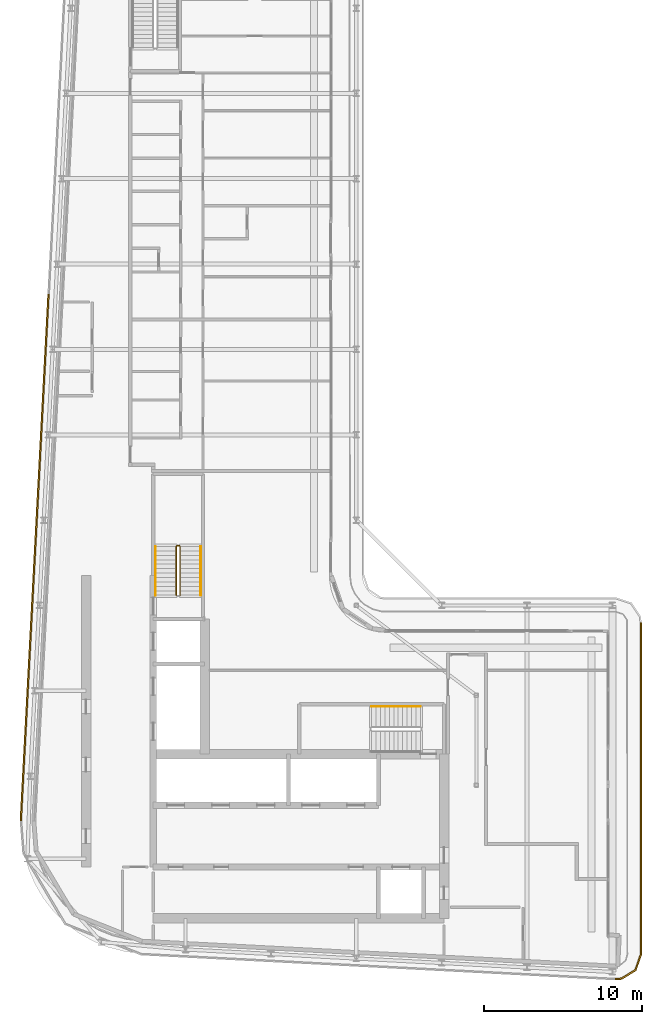
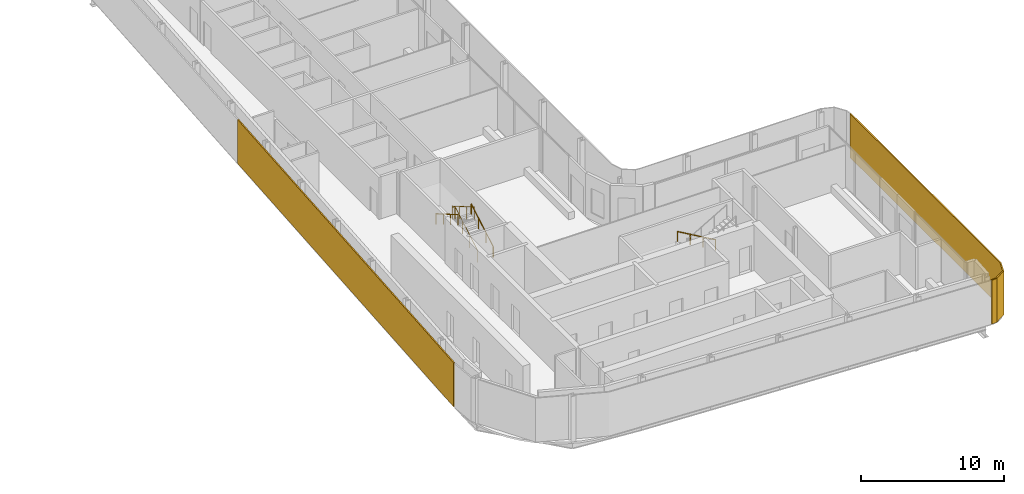
# One storey, part 18 of 21: 4 railings, 2 shading devices.
"""IFC4 building model written with IfcOpenShell, lengths in metres."""

from ifc_helpers import new_model, si_unit, direction, frame, origin, origin_2d, place, context, subcontext, project, spatial, polyline, rectangle, circle, outline, extrude, material, layer, layer_set, type_object, element, save


model = new_model("IFC4")

# Units and contexts
model_context = context("Model", 3, precision=1e-05, world=origin(), true_north=direction((0.0, 1.0)))
body_context = subcontext(model_context, "Body", "Model", "MODEL_VIEW")
ifc_project = project(units=[si_unit("LENGTHUNIT", "METRE"), si_unit("AREAUNIT", "SQUARE_METRE"), si_unit("VOLUMEUNIT", "CUBIC_METRE"), si_unit("PLANEANGLEUNIT", "RADIAN"), si_unit("MASSUNIT", "GRAM", prefix="KILO")], contexts=[model_context])

# Site, building, storey
site_placement = place(None, origin())
site = spatial("IfcSite", under=ifc_project, at=site_placement, CompositionType="ELEMENT")
building_placement = place(site_placement, origin())
building = spatial("IfcBuilding", under=site, at=building_placement, Name="Kheshtan School and Residences Tower", CompositionType="ELEMENT")
storey_placement = place(building_placement, frame((0.0, 0.0, 278.60009765625)))
storey = spatial("IfcBuildingStorey", under=building, at=storey_placement, Name="L65", CompositionType="ELEMENT", Elevation=278.60009765625)

# Shading devices
ifc_material_1 = material(Name="Terracotta baguette, extruded ceramic", Category="masonry")
ifc_layer_1 = layer(ifc_material_1, 0.10009765625)
ifc_layer_set_1 = layer_set([ifc_layer_1], Name="Ledge screen, terracotta baguettes")
shading_device_type_1 = type_object("IfcShadingDeviceType", Name="Ledge screen, terracotta baguettes", PredefinedType="USERDEFINED", material=ifc_layer_set_1)
shading_device_1_placement = place(storey_placement, frame((27.24609375, 48.638916015625, 0.0), z_axis=(0.0, 0.0, 1.0), x_axis=(0.052562536748, 0.998617634398, 0.0)))
element("IfcShadingDevice", 1, at=shading_device_1_placement, inside=storey, type_object=shading_device_type_1, Name="Screen L65 4", ObjectType="BAGUETTE", PredefinedType="USERDEFINED", context=body_context, shape_type="SweptSolid", body=[
    extrude(rectangle(XDim=33.341064453125, YDim=0.10009765625, at=origin_2d()), origin(), (0.0, 0.0, 1.0), 3.75),
])
ifc_material_2 = material(Name="Terracotta lattice, extruded ceramic", Category="masonry")
ifc_layer_2 = layer(ifc_material_2, 0.10009765625)
ifc_layer_set_2 = layer_set([ifc_layer_2], Name="Loggia screen, terracotta lattice")
shading_device_type_2 = type_object("IfcShadingDeviceType", Name="Loggia screen, terracotta lattice", PredefinedType="USERDEFINED", material=ifc_layer_set_2)
shading_device_2_placement = place(storey_placement, origin())
element("IfcShadingDevice", 2, at=shading_device_2_placement, inside=storey, type_object=shading_device_type_2, Name="Screen L65 2", ObjectType="SCREEN", PredefinedType="USERDEFINED", context=body_context, shape_type="SweptSolid", body=[
    extrude(outline(polyline([(65.550048828125, 44.5), (65.550048828125, 23.4990234375), (65.219970703125, 22.56005859375), (64.3740234375, 22.034912109375), (63.970947265625, 22.001953125), (63.97900390625, 21.902099609375), (64.406005859375, 21.93701171875), (65.302978515625, 22.493896484375), (65.64990234375, 23.48193359375), (65.64990234375, 44.5), (65.550048828125, 44.5)])), origin(), (0.0, 0.0, 1.0), 3.75),
])

# Railings
ifc_material_3 = material(Name="Stainless steel balustrade", Category="steel")
railing_type_1 = type_object("IfcRailingType", Name="Stair guard 1100", PredefinedType="GUARDRAIL", material=ifc_material_3)
railing_1_placement = place(storey_placement, frame((36.449951171875, 46.25, 0.162353515625)))
element("IfcRailing", 3, at=railing_1_placement, inside=storey, type_object=railing_type_1, Name="L65 ST2 stair guard 1", PredefinedType="GUARDRAIL", context=body_context, shape_type="SweptSolid", body=[
    extrude(circle(Radius=0.02392578125, at=origin_2d()), frame((0.0, 0.0, 1.076171875), z_axis=(0.0, 0.864890721111, 0.501960198159), x_axis=(-1.0, 0.0, 0.0)), (0.0, 0.0, 1.0), 3.561279296875),
    extrude(circle(Radius=0.02392578125, at=origin_2d()), frame((0.0, 3.080078125, 2.86376953125), z_axis=(-0.708833529934, 0.705375805398, 0.0), x_axis=(-0.705375805398, -0.708833529934, 0.0)), (0.0, 0.0, 1.0), 0.070556640625),
    extrude(circle(Radius=0.02392578125, at=origin_2d()), frame((-0.050048828125, 3.1298828125, 2.86376953125), z_axis=(-1.0, 0.0, 0.0), x_axis=(0.0, -1.0, 0.0)), (0.0, 0.0, 1.0), 0.14990234375),
    extrude(circle(Radius=0.02392578125, at=origin_2d()), frame((-0.199951171875, 3.1298828125, 2.86376953125), z_axis=(-0.282693820306, -0.281314826061, 0.917031173188), x_axis=(0.705375805398, -0.708833529934, 0.0)), (0.0, 0.0, 1.0), 0.177001953125),
    extrude(circle(Radius=0.02392578125, at=origin_2d()), frame((-0.25, 3.080078125, 3.02587890625), z_axis=(0.0, -0.864890721111, 0.501960198159), x_axis=(1.0, 0.0, 0.0)), (0.0, 0.0, 1.0), 3.561279296875),
    extrude(circle(Radius=0.02099609375, at=origin_2d()), origin(), (0.0, 0.0, 1.0), 1.052001953125),
    extrude(circle(Radius=0.02099609375, at=origin_2d()), frame((0.0, 1.026611328125, 0.595947265625)), (0.0, 0.0, 1.0), 1.052001953125),
    extrude(circle(Radius=0.02099609375, at=origin_2d()), frame((0.0, 2.053466796875, 1.191650390625)), (0.0, 0.0, 1.0), 1.052001953125),
    extrude(circle(Radius=0.02099609375, at=origin_2d()), frame((0.0, 3.080078125, 1.78759765625)), (0.0, 0.0, 1.0), 1.052001953125),
    extrude(circle(Radius=0.02099609375, at=origin_2d()), frame((-0.050048828125, 3.1298828125, 1.78759765625)), (0.0, 0.0, 1.0), 1.052001953125),
    extrude(circle(Radius=0.02099609375, at=origin_2d()), frame((-0.199951171875, 3.1298828125, 1.78759765625)), (0.0, 0.0, 1.0), 1.052001953125),
    extrude(circle(Radius=0.02099609375, at=origin_2d()), frame((-0.25, 3.080078125, 1.949951171875)), (0.0, 0.0, 1.0), 1.052001953125),
    extrude(circle(Radius=0.02099609375, at=origin_2d()), frame((-0.25, 2.053466796875, 2.5458984375)), (0.0, 0.0, 1.0), 1.052001953125),
    extrude(circle(Radius=0.02099609375, at=origin_2d()), frame((-0.25, 1.026611328125, 3.1416015625)), (0.0, 0.0, 1.0), 1.052001953125),
    extrude(circle(Radius=0.02099609375, at=origin_2d()), frame((-0.25, 0.0, 3.737548828125)), (0.0, 0.0, 1.0), 1.052001953125),
])
ifc_material_4 = material(Name="Stainless steel handrail", Category="steel")
railing_type_2 = type_object("IfcRailingType", Name="Stair handrail 900", PredefinedType="HANDRAIL", material=ifc_material_4)
railing_2_placement = place(storey_placement, frame((51.64990234375, 39.199951171875, 0.162353515625)))
element("IfcRailing", 4, at=railing_2_placement, inside=storey, type_object=railing_type_2, Name="L65 ST1 stair handrail 1", PredefinedType="HANDRAIL", context=body_context, shape_type="SweptSolid", body=[
    extrude(circle(Radius=0.02392578125, at=origin_2d()), frame((0.0, 0.0, 0.8759765625), z_axis=(-0.864873446163, 0.0, 0.501989962173), x_axis=(0.0, -1.0, 0.0)), (0.0, 0.0, 1.0), 3.56103515625),
    extrude(circle(Radius=0.02099609375, at=origin_2d()), origin(), (0.0, 0.0, 1.0), 0.851806640625),
    extrude(circle(Radius=0.02099609375, at=origin_2d()), frame((-1.026611328125, 0.0, 0.595947265625)), (0.0, 0.0, 1.0), 0.851806640625),
    extrude(circle(Radius=0.02099609375, at=origin_2d()), frame((-2.05322265625, 0.0, 1.191650390625)), (0.0, 0.0, 1.0), 0.851806640625),
    extrude(circle(Radius=0.02099609375, at=origin_2d()), frame((-3.079833984375, 0.0, 1.78759765625)), (0.0, 0.0, 1.0), 0.851806640625),
])
railing_3_placement = place(storey_placement, frame((37.75, 46.25, 0.162353515625)))
element("IfcRailing", 5, at=railing_3_placement, inside=storey, type_object=railing_type_2, Name="L65 ST2 stair handrail 1", PredefinedType="HANDRAIL", context=body_context, shape_type="SweptSolid", body=[
    extrude(circle(Radius=0.02392578125, at=origin_2d()), frame((0.0, 0.0, 0.8759765625), z_axis=(0.0, 0.864890721111, 0.501960198159), x_axis=(-1.0, 0.0, 0.0)), (0.0, 0.0, 1.0), 3.561279296875),
    extrude(circle(Radius=0.02099609375, at=origin_2d()), origin(), (0.0, 0.0, 1.0), 0.851806640625),
    extrude(circle(Radius=0.02099609375, at=origin_2d()), frame((0.0, 1.026611328125, 0.595947265625)), (0.0, 0.0, 1.0), 0.851806640625),
    extrude(circle(Radius=0.02099609375, at=origin_2d()), frame((0.0, 2.053466796875, 1.191650390625)), (0.0, 0.0, 1.0), 0.851806640625),
    extrude(circle(Radius=0.02099609375, at=origin_2d()), frame((0.0, 3.080078125, 1.78759765625)), (0.0, 0.0, 1.0), 0.851806640625),
])
railing_4_placement = place(storey_placement, frame((34.89990234375, 49.330078125, 2.1123046875)))
element("IfcRailing", 6, at=railing_4_placement, inside=storey, type_object=railing_type_2, Name="L65 ST2 stair handrail 2", PredefinedType="HANDRAIL", context=body_context, shape_type="SweptSolid", body=[
    extrude(circle(Radius=0.02392578125, at=origin_2d()), frame((0.0, 0.0, 0.8759765625), z_axis=(0.0, -0.864890721111, 0.501960198159), x_axis=(1.0, 0.0, 0.0)), (0.0, 0.0, 1.0), 3.561279296875),
    extrude(circle(Radius=0.02099609375, at=origin_2d()), origin(), (0.0, 0.0, 1.0), 0.851806640625),
    extrude(circle(Radius=0.02099609375, at=origin_2d()), frame((0.0, -1.026611328125, 0.595947265625)), (0.0, 0.0, 1.0), 0.851806640625),
    extrude(circle(Radius=0.02099609375, at=origin_2d()), frame((0.0, -2.053466796875, 1.191650390625)), (0.0, 0.0, 1.0), 0.851806640625),
    extrude(circle(Radius=0.02099609375, at=origin_2d()), frame((0.0, -3.080078125, 1.78759765625)), (0.0, 0.0, 1.0), 0.851806640625),
])

save(model, "model.ifc")
